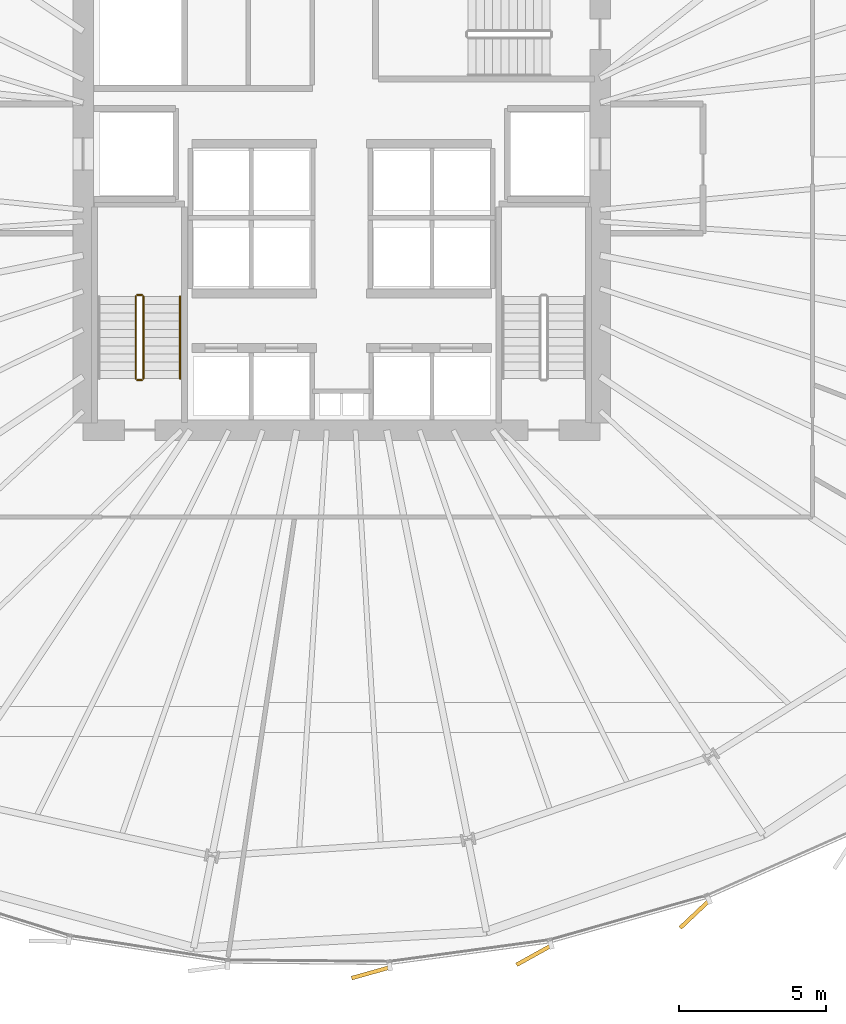
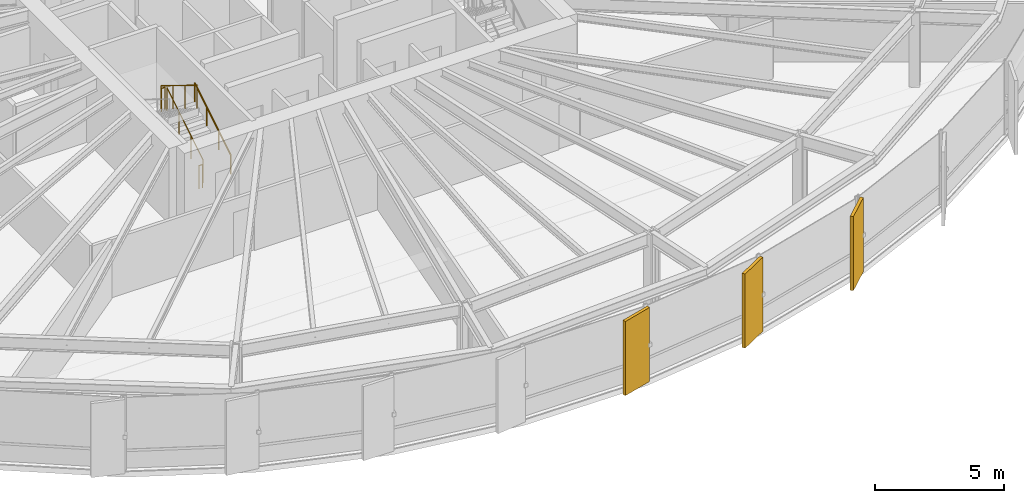
# One storey, part 36 of 39: 5 railings, 3 coverings.
"""IFC4 building model written with IfcOpenShell, lengths in metres."""

import ifcopenshell
import ifcopenshell.guid

model = None  # the IFC model being written
_history = None  # IfcOwnerHistory: only IFC2X3 demands one
_inside = {}  # id of a spatial element -> (the spatial element, [elements in it])
_under = {}  # id of a project, library or spatial element -> (it, [spatial elements below it])
_declared = {}  # id of a project -> (the project, [libraries it declares])
_typed = {}  # id of a type object -> (the type object, [elements of that type])
_made_of = {}  # id of a material, layer set ... -> (it, [elements and type objects made of it])


def new_model(schema):
    """Start an empty IFC model of exactly this schema.

    Asked for "IFC4X3", IfcOpenShell would pick the latest addendum, in which some entities
    have other attributes; the version numbers below select the first issue.
    IFC2X3 requires an IfcOwnerHistory on every rooted entity: one is made here for all.
    """
    global model, _history
    if schema == "IFC4X3":
        model = ifcopenshell.file(schema_version=(4, 3, 0, 0))
    else:
        model = ifcopenshell.file(schema=schema)
    _inside.clear()
    _under.clear()
    _declared.clear()
    _typed.clear()
    _made_of.clear()
    _history = None
    if model.schema == "IFC2X3":
        org = make("IfcOrganization", Name="unknown")
        user = make(
            "IfcPersonAndOrganization",
            ThePerson=make("IfcPerson", FamilyName="unknown"),
            TheOrganization=org,
        )
        app = make(
            "IfcApplication",
            ApplicationDeveloper=org,
            Version="unknown",
            ApplicationFullName="unknown",
            ApplicationIdentifier="unknown",
        )
        _history = make(
            "IfcOwnerHistory",
            OwningUser=user,
            OwningApplication=app,
            ChangeAction="ADDED",
            CreationDate=0,
        )
    return model


def make(cls, **values):
    """One entity of the class cls with the attributes given. An attribute that is None is left unset."""
    return model.create_entity(
        cls, **{name: value for name, value in values.items() if value is not None}
    )


def rooted(cls, **values):
    """An entity with a GlobalId (a new one), such as an element, a storey or a relation."""
    return make(cls, GlobalId=ifcopenshell.guid.new(), OwnerHistory=_history, **values)


def si_unit(unit_type, name, prefix=None):
    """IfcSIUnit, for example si_unit("LENGTHUNIT", "METRE", prefix="MILLI")."""
    return make("IfcSIUnit", UnitType=unit_type, Prefix=prefix, Name=name)


def assignment(units):
    """IfcUnitAssignment: the units of a project."""
    return None if units is None else make("IfcUnitAssignment", Units=units)


def point(xyz):
    """IfcCartesianPoint."""
    return None if xyz is None else make("IfcCartesianPoint", Coordinates=xyz)


def direction(xyz):
    """IfcDirection."""
    return None if xyz is None else make("IfcDirection", DirectionRatios=xyz)


def frame(location, z_axis=None, x_axis=None):
    """IfcAxis2Placement3D, a coordinate frame: its origin and axes. An axis left out is left unset."""
    return make(
        "IfcAxis2Placement3D",
        Location=point(location),
        Axis=direction(z_axis),
        RefDirection=direction(x_axis),
    )


def frame_2d(location, x_axis=None):
    """IfcAxis2Placement2D, a coordinate frame in the plane: its origin and x axis."""
    return make(
        "IfcAxis2Placement2D", Location=point(location), RefDirection=direction(x_axis)
    )


def origin():
    """The frame at (0, 0, 0) with its axes left unset."""
    return frame((0.0, 0.0, 0.0))


def origin_2d():
    """The frame at (0, 0) in the plane with its x axis left unset."""
    return frame_2d((0.0, 0.0))


def place(relative_to, where):
    """IfcLocalPlacement: puts the frame where relative to a parent placement (None: the world)."""
    return make(
        "IfcLocalPlacement", PlacementRelTo=relative_to, RelativePlacement=where
    )


def context(
    kind, dimensions, precision=None, world=None, true_north=None, identifier=None
):
    """IfcGeometricRepresentationContext, for example the 3D "Model" context."""
    return make(
        "IfcGeometricRepresentationContext",
        ContextIdentifier=identifier,
        ContextType=kind,
        CoordinateSpaceDimension=dimensions,
        Precision=precision,
        WorldCoordinateSystem=world,
        TrueNorth=true_north,
    )


def subcontext(parent, identifier, kind, view, scale=None):
    """IfcGeometricRepresentationSubContext, for example "Body" below "Model"."""
    return make(
        "IfcGeometricRepresentationSubContext",
        ContextIdentifier=identifier,
        ContextType=kind,
        ParentContext=parent,
        TargetScale=scale,
        TargetView=view,
    )


def project(units=None, contexts=None):
    """IfcProject with its units and contexts."""
    return rooted(
        "IfcProject",
        Name="project",
        RepresentationContexts=contexts,
        UnitsInContext=assignment(units),
    )


def spatial(cls, under=None, at=None, **own):
    """A site, building, storey or space (cls), placed at a placement, below another one or the project."""
    s = rooted(cls, ObjectPlacement=at, **own)
    if under is not None:
        _under.setdefault(under.id(), (under, []))[1].append(s)
    return s


def profile(cls, at=None, kind="AREA", **sizes):
    """A parametric profile (cls). Its sizes go by their IFC names, for example OverallWidth=200.0."""
    return make(cls, ProfileType=kind, Position=at, **sizes)


def rectangle(**sizes):
    """IfcRectangleProfileDef."""
    return profile("IfcRectangleProfileDef", **sizes)


def circle(**sizes):
    """IfcCircleProfileDef."""
    return profile("IfcCircleProfileDef", **sizes)


def extrude(swept, where, along, depth):
    """IfcExtrudedAreaSolid: the profile swept, set in the frame where, extruded along a direction by depth."""
    return make(
        "IfcExtrudedAreaSolid",
        SweptArea=swept,
        Position=where,
        ExtrudedDirection=direction(along),
        Depth=depth,
    )


def shape(context_of_items, identifier, shape_type, items):
    """IfcShapeRepresentation: the items that make up one representation, for example the "Body"."""
    return make(
        "IfcShapeRepresentation",
        ContextOfItems=context_of_items,
        RepresentationIdentifier=identifier,
        RepresentationType=shape_type,
        Items=items,
    )


def source(mapping_origin, context_of_items, identifier, shape_type, items):
    """IfcRepresentationMap: a shape defined once, which mapped items show again and again."""
    return make(
        "IfcRepresentationMap",
        MappingOrigin=mapping_origin,
        MappedRepresentation=shape(context_of_items, identifier, shape_type, items),
    )


def transform(
    local_origin,
    x_axis=None,
    y_axis=None,
    z_axis=None,
    scale=None,
    scale2=None,
    scale3=None,
    uniform=True,
):
    """IfcCartesianTransformationOperator3D, or its non-uniform kind. x_axis, y_axis, z_axis: its Axis1, 2, 3."""
    if uniform:
        return make(
            "IfcCartesianTransformationOperator3D",
            Axis1=direction(x_axis),
            Axis2=direction(y_axis),
            LocalOrigin=point(local_origin),
            Scale=scale,
            Axis3=direction(z_axis),
        )
    return make(
        "IfcCartesianTransformationOperator3DnonUniform",
        Axis1=direction(x_axis),
        Axis2=direction(y_axis),
        LocalOrigin=point(local_origin),
        Scale=scale,
        Axis3=direction(z_axis),
        Scale2=scale2,
        Scale3=scale3,
    )


def mapped(mapping_source, mapping_target):
    """IfcMappedItem: shows the shape of a source again, moved by a transform."""
    return make(
        "IfcMappedItem", MappingSource=mapping_source, MappingTarget=mapping_target
    )


def material(Name=None, Category=None):
    """IfcMaterial."""
    return make("IfcMaterial", Name=Name, Category=Category)


def layer(
    of_material, thickness, ventilated=None, Name=None, Category=None, Priority=None
):
    """IfcMaterialLayer: one layer of a wall or slab, of a material (None: an air gap)."""
    return make(
        "IfcMaterialLayer",
        Material=of_material,
        LayerThickness=thickness,
        IsVentilated=ventilated,
        Name=Name,
        Category=Category,
        Priority=Priority,
    )


def layer_set(layers, Name=None):
    """IfcMaterialLayerSet."""
    return make("IfcMaterialLayerSet", MaterialLayers=layers, LayerSetName=Name)


def made_of(thing, what):
    """Note that an element or type object is made of a material, layer set ...; save() writes the relation."""
    if what is not None:
        _made_of.setdefault(what.id(), (what, []))[1].append(thing)
    return thing


def type_object(cls, material=None, **own):
    """A type object (cls), such as IfcWallType, which elements share."""
    return made_of(rooted(cls, **own), material)


def element(
    cls,
    number,
    at=None,
    inside=None,
    cuts=None,
    type_object=None,
    material=None,
    context=None,
    identifier="Body",
    shape_type=None,
    held_by="IfcProductDefinitionShape",
    body=None,
    shapes=None,
    **own,
):
    """One element of the class cls, such as IfcWall. Its Tag is "e" and its number.

    at: its placement. inside: the storey or other place that contains it. cuts: it is an
    opening in that element (IfcRelVoidsElement). A single representation is given by context,
    identifier, shape_type and body (its items); several are given by shapes. held_by: the class
    of the entity that holds the representations. save() writes the other relations.
    """
    e = rooted(cls, Tag="e%d" % number, ObjectPlacement=at, **own)
    if body is not None:
        shapes = [shape(context, identifier, shape_type, body)]
    if shapes is not None:
        e.Representation = make(held_by, Representations=shapes)
    if inside is not None:
        _inside.setdefault(inside.id(), (inside, []))[1].append(e)
    if cuts is not None:
        rooted(
            "IfcRelVoidsElement", RelatingBuildingElement=cuts, RelatedOpeningElement=e
        )
    if type_object is not None:
        _typed.setdefault(type_object.id(), (type_object, []))[1].append(e)
    return made_of(e, material)


def aggregate(whole, parts):
    """IfcRelAggregates: a whole, such as a stair, and the parts it consists of."""
    return rooted("IfcRelAggregates", RelatingObject=whole, RelatedObjects=parts)


def save(model, path):
    """Write the relations noted so far, then the file.

    IfcRelAggregates (storeys below a building ...), IfcRelContainedInSpatialStructure (elements
    in a storey), IfcRelDefinesByType, IfcRelAssociatesMaterial and IfcRelDeclares: one each for
    every whole, place, type object, material and project.
    """
    for whole, parts in _under.values():
        aggregate(whole, parts)
    for where, things in _inside.values():
        rooted(
            "IfcRelContainedInSpatialStructure",
            RelatedElements=things,
            RelatingStructure=where,
        )
    for kind, things in _typed.values():
        rooted("IfcRelDefinesByType", RelatedObjects=things, RelatingType=kind)
    for what, things in _made_of.values():
        rooted("IfcRelAssociatesMaterial", RelatedObjects=things, RelatingMaterial=what)
    for by, libraries in _declared.values():
        rooted("IfcRelDeclares", RelatingContext=by, RelatedDefinitions=libraries)
    model.write(path)


model = new_model("IFC4")

# Units and contexts
model_context = context("Model", 3, precision=1e-05, world=origin(), true_north=direction((0.0, 1.0)))
body_context = subcontext(model_context, "Body", "Model", "MODEL_VIEW")
ifc_project = project(units=[si_unit("LENGTHUNIT", "METRE"), si_unit("AREAUNIT", "SQUARE_METRE"), si_unit("VOLUMEUNIT", "CUBIC_METRE"), si_unit("PLANEANGLEUNIT", "RADIAN"), si_unit("MASSUNIT", "GRAM", prefix="KILO"), si_unit("THERMODYNAMICTEMPERATUREUNIT", "KELVIN")], contexts=[model_context])

# Site, building, storey
site_placement = place(None, origin())
site = spatial("IfcSite", under=ifc_project, at=site_placement, CompositionType="ELEMENT")
building_placement = place(site_placement, origin())
building = spatial("IfcBuilding", under=site, at=building_placement, Name="Kethvar Cultural Tower", CompositionType="ELEMENT")
storey_placement = place(building_placement, frame((0.0, 0.0, 44.800048828125)))
storey = spatial("IfcBuildingStorey", under=building, at=storey_placement, Name="L10", CompositionType="ELEMENT", Elevation=44.800048828125)

# Railings
ifc_material_1 = material(Name="Steel S355J2", Category="steel")
railing_type_1 = type_object("IfcRailingType", Name="RL-STAIR-GUARD", PredefinedType="BALUSTRADE", material=ifc_material_1)
railing_1_placement = place(storey_placement, frame((40.050048828125, 21.85009765625, 0.172607421875)))
element("IfcRailing", 1, at=railing_1_placement, inside=storey, type_object=railing_type_1, Name="L10 ST-01 stair guard 1", PredefinedType="BALUSTRADE", context=body_context, shape_type="SweptSolid", body=[
    extrude(circle(Radius=0.02392578125, at=origin_2d()), frame((0.0, 0.0, 1.09619140625), z_axis=(0.0, 0.851069175582, 0.525053576669), x_axis=(-1.0, 0.0, 0.0)), (0.0, 0.0, 1.0), 3.289794921875),
    extrude(circle(Radius=0.02099609375, at=origin_2d()), origin(), (0.0, 0.0, 1.0), 1.072021484375),
    extrude(circle(Radius=0.02099609375, at=origin_2d()), frame((0.0, 0.933349609375, 0.57568359375)), (0.0, 0.0, 1.0), 1.072021484375),
    extrude(circle(Radius=0.02099609375, at=origin_2d()), frame((0.0, 1.866455078125, 1.151611328125)), (0.0, 0.0, 1.0), 1.072021484375),
    extrude(circle(Radius=0.02099609375, at=origin_2d()), frame((0.0, 2.7998046875, 1.727294921875)), (0.0, 0.0, 1.0), 1.072021484375),
])
railing_2_placement = place(storey_placement, frame((40.0, 24.699951171875, 1.89990234375)))
element("IfcRailing", 2, at=railing_2_placement, inside=storey, type_object=railing_type_1, Name="L10 ST-01 stair guard 2", PredefinedType="BALUSTRADE", context=body_context, shape_type="SweptSolid", body=[
    extrude(circle(Radius=0.02392578125, at=origin_2d()), frame((0.0, 0.0, 1.09619140625), z_axis=(-1.0, 0.0, 0.0), x_axis=(0.0, -1.0, 0.0)), (0.0, 0.0, 1.0), 0.159912109375),
    extrude(circle(Radius=0.02099609375, at=origin_2d()), origin(), (0.0, 0.0, 1.0), 1.072021484375),
    extrude(circle(Radius=0.02099609375, at=origin_2d()), frame((-0.159912109375, 0.0, 0.0)), (0.0, 0.0, 1.0), 1.072021484375),
])
railing_3_placement = place(storey_placement, frame((39.7900390625, 24.64990234375, 2.07275390625)))
element("IfcRailing", 3, at=railing_3_placement, inside=storey, type_object=railing_type_1, Name="L10 ST-01 stair guard 3", PredefinedType="BALUSTRADE", context=body_context, shape_type="SweptSolid", body=[
    extrude(circle(Radius=0.02392578125, at=origin_2d()), frame((0.0, 0.0, 1.09619140625), z_axis=(0.0, -0.851069175582, 0.525053576669), x_axis=(1.0, 0.0, 0.0)), (0.0, 0.0, 1.0), 3.289794921875),
    extrude(circle(Radius=0.02099609375, at=origin_2d()), origin(), (0.0, 0.0, 1.0), 1.072021484375),
    extrude(circle(Radius=0.02099609375, at=origin_2d()), frame((0.0, -0.933349609375, 0.57568359375)), (0.0, 0.0, 1.0), 1.072021484375),
    extrude(circle(Radius=0.02099609375, at=origin_2d()), frame((0.0, -1.866455078125, 1.151611328125)), (0.0, 0.0, 1.0), 1.072021484375),
    extrude(circle(Radius=0.02099609375, at=origin_2d()), frame((0.0, -2.7998046875, 1.727294921875)), (0.0, 0.0, 1.0), 1.072021484375),
])
railing_4_placement = place(storey_placement, frame((40.0, 21.800048828125, 0.0)))
element("IfcRailing", 4, at=railing_4_placement, inside=storey, type_object=railing_type_1, Name="L10 ST-01 stair guard 4", PredefinedType="BALUSTRADE", context=body_context, shape_type="SweptSolid", body=[
    extrude(circle(Radius=0.02392578125, at=origin_2d()), frame((0.0, 0.0, 1.09619140625), z_axis=(-1.0, 0.0, 0.0), x_axis=(0.0, -1.0, 0.0)), (0.0, 0.0, 1.0), 0.159912109375),
    extrude(circle(Radius=0.02099609375, at=origin_2d()), origin(), (0.0, 0.0, 1.0), 1.072021484375),
    extrude(circle(Radius=0.02099609375, at=origin_2d()), frame((-0.159912109375, 0.0, 0.0)), (0.0, 0.0, 1.0), 1.072021484375),
])
railing_type_2 = type_object("IfcRailingType", Name="RL-STAIR-HANDRAIL", PredefinedType="HANDRAIL", material=ifc_material_1)
railing_5_placement = place(storey_placement, frame((41.300048828125, 21.85009765625, 0.172607421875)))
element("IfcRailing", 5, at=railing_5_placement, inside=storey, type_object=railing_type_2, Name="L10 ST-01 stair handrail 1", PredefinedType="HANDRAIL", context=body_context, shape_type="SweptSolid", body=[
    extrude(circle(Radius=0.02392578125, at=origin_2d()), frame((0.0, 0.0, 0.8759765625), z_axis=(0.0, 0.851069175582, 0.525053576669), x_axis=(-1.0, 0.0, 0.0)), (0.0, 0.0, 1.0), 3.289794921875),
    extrude(circle(Radius=0.02099609375, at=origin_2d()), origin(), (0.0, 0.0, 1.0), 0.851806640625),
    extrude(circle(Radius=0.02099609375, at=origin_2d()), frame((0.0, 0.933349609375, 0.57568359375)), (0.0, 0.0, 1.0), 0.851806640625),
    extrude(circle(Radius=0.02099609375, at=origin_2d()), frame((0.0, 1.866455078125, 1.151611328125)), (0.0, 0.0, 1.0), 0.851806640625),
    extrude(circle(Radius=0.02099609375, at=origin_2d()), frame((0.0, 2.7998046875, 1.727294921875)), (0.0, 0.0, 1.0), 0.851806640625),
])

# Coverings
ifc_material_2 = material(Name="Extruded Architectural Terracotta", Category="masonry")
ifc_layer = layer(ifc_material_2, 0.135009765625, Name="Extruded Architectural Terracotta", Category="masonry")
ifc_layer_set = layer_set([ifc_layer], Name="Extruded Architectural Terracotta (135 mm)")
covering_type = type_object("IfcCoveringType", Name="Terracotta Facade Fin FIN-01", PredefinedType="CLADDING", material=ifc_layer_set)
shared_shape = source(origin(), body_context, "Body", "SweptSolid", [
    extrude(rectangle(XDim=1.35009765625, YDim=0.135009765625, at=origin_2d()), origin(), (0.0, 0.0, 1.0), 3.510009765625),
])
for number, where, z_axis, x_axis, name in (
    (6, (47.791259765625, 1.62451171875, 0.02001953125), (0.0, 0.0, 1.0), (-0.962738960451, -0.270432420449, 0.0), "L10 Vertical Terracotta Fin 5.5"),
    (7, (53.34423828125, 2.22119140625, 0.02001953125), (0.0, 0.0, 1.0), (-0.873772223035, -0.486335380423, 0.0), "L10 Vertical Terracotta Fin 5.6"),
    (8, (58.819091796875, 3.6162109375, 0.02001953125), (0.0, 0.0, 1.0), (-0.727413564262, -0.686199319824, 0.0), "L10 Vertical Terracotta Fin 6.1"),
):
    element("IfcCovering", number, at=place(storey_placement, frame(where, z_axis=z_axis, x_axis=x_axis)), inside=storey, type_object=covering_type, Name=name, PredefinedType="CLADDING", context=body_context, shape_type="MappedRepresentation", body=[
        mapped(shared_shape, transform((0.0, 0.0, 0.0), scale=1.0)),
    ])

save(model, "model.ifc")
